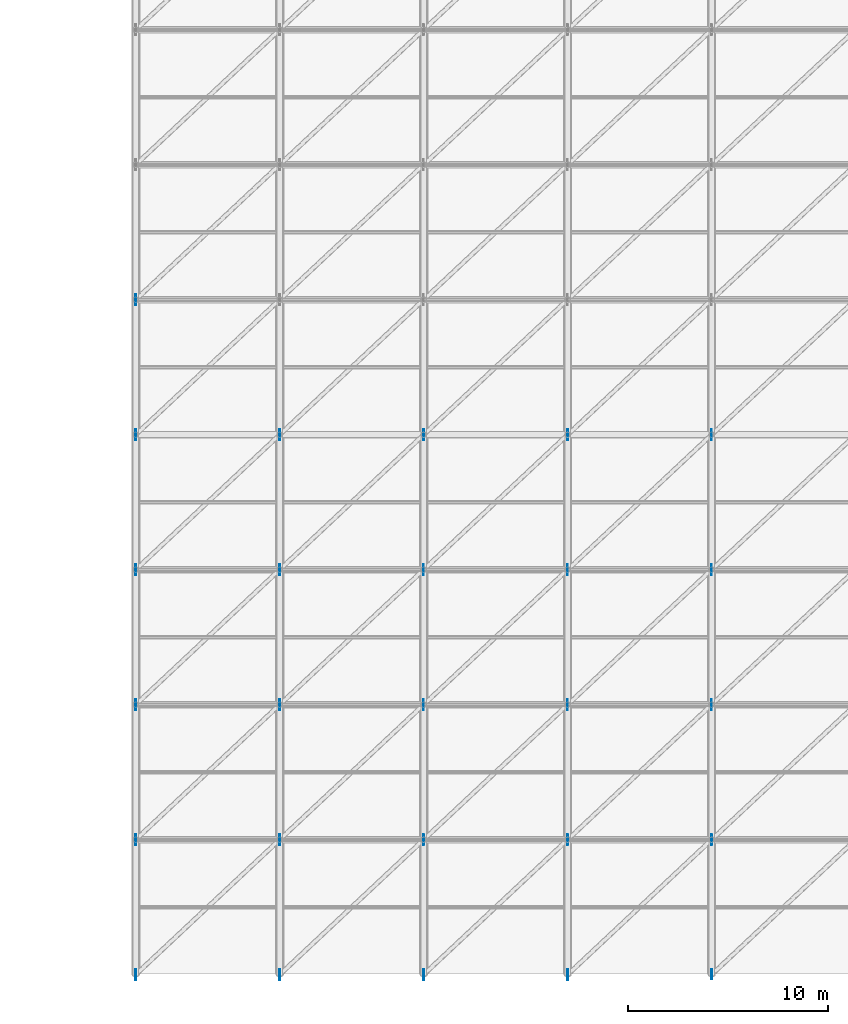
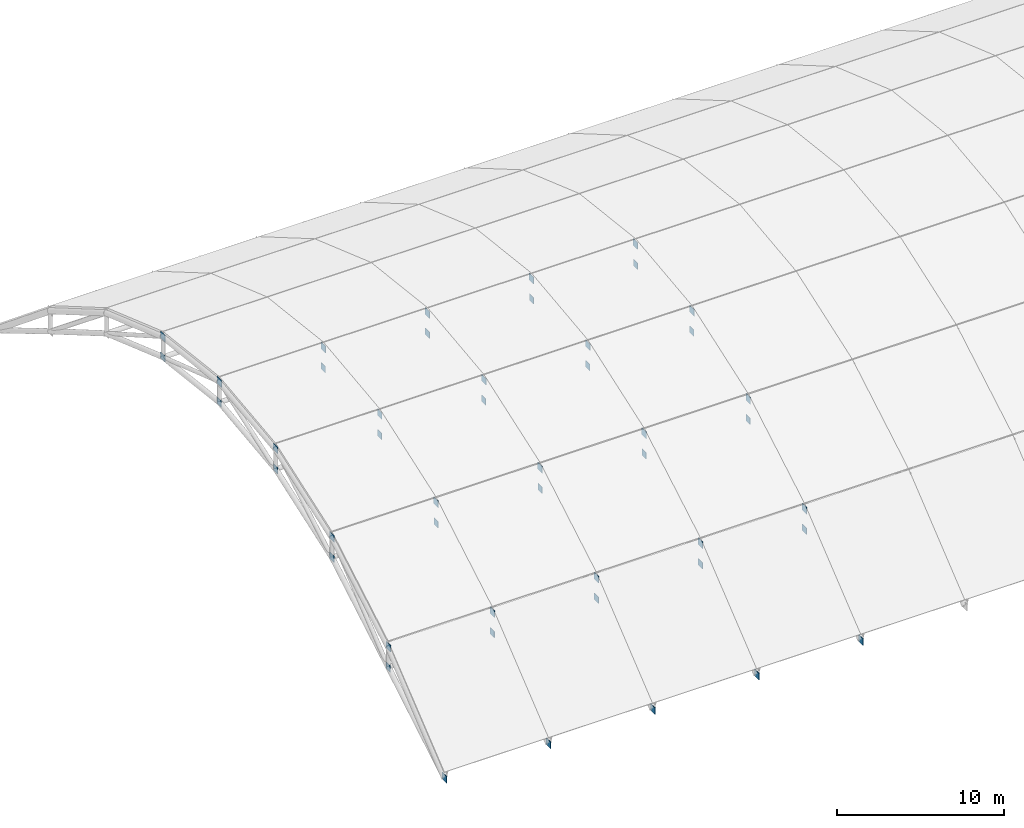
# One storey, part 59 of 72: 47 plates.
"""IFC4 building model written with IfcOpenShell, lengths in metres."""

from ifc_helpers import new_model, si_unit, direction, frame, origin, origin_2d, place, context, subcontext, project, spatial, rectangle, extrude, material, layer, layer_set, type_object, element, save


model = new_model("IFC4")

# Units and contexts
model_context = context("Model", 3, precision=1e-05, world=origin(), true_north=direction((0.0, 1.0)))
body_context = subcontext(model_context, "Body", "Model", "MODEL_VIEW")
ifc_project = project(units=[si_unit("LENGTHUNIT", "METRE"), si_unit("AREAUNIT", "SQUARE_METRE"), si_unit("VOLUMEUNIT", "CUBIC_METRE"), si_unit("PLANEANGLEUNIT", "RADIAN"), si_unit("MASSUNIT", "GRAM", prefix="KILO")], contexts=[model_context])

# Site, building, storey
site_placement = place(None, origin())
site = spatial("IfcSite", under=ifc_project, at=site_placement, CompositionType="ELEMENT")
building_placement = place(site_placement, origin())
building = spatial("IfcBuilding", under=site, at=building_placement, Name="Vaelcorin Mobility Hub", CompositionType="ELEMENT")
storey_placement = place(building_placement, frame((0.0, 0.0, 25.800048828125)))
storey = spatial("IfcBuildingStorey", under=building, at=storey_placement, Name="RF", CompositionType="ELEMENT", Elevation=25.800048828125)

# Plates
ifc_material = material(Name="Steel ASTM A572 Grade 50", Category="steel")
ifc_layer_1 = layer(ifc_material, 0.0400390625)
ifc_layer_set_1 = layer_set([ifc_layer_1], Name="Steel ASTM A572 Grade 50")
plate_type_1 = type_object("IfcPlateType", Name="PL-SN1", PredefinedType="USERDEFINED", material=ifc_layer_set_1)
for number, where, z_axis, x_axis, name in (
    (1, (36.0, 12.75, -16.01806640625), (0.0, 0.0, 1.0), (1.0, 0.0, 0.0), "Space-Frame Lower Node Gusset 1-1"),
    (2, (43.199951171875, 12.75, -16.01806640625), (0.0, 0.0, 1.0), (1.0, 0.0, 0.0), "Space-Frame Lower Node Gusset 2-1"),
    (3, (50.39990234375, 12.75, -16.01806640625), (0.0, 0.0, 1.0), (1.0, 0.0, 0.0), "Space-Frame Lower Node Gusset 3-1"),
    (4, (57.60009765625, 12.75, -16.01806640625), (0.0, 0.0, 1.0), (1.0, 0.0, 0.0), "Space-Frame Lower Node Gusset 4-1"),
    (5, (64.800048828125, 12.75, -16.01806640625), (0.0, 0.0, 1.0), (1.0, 0.0, 0.0), "Space-Frame Lower Node Gusset 5-1"),
):
    element("IfcPlate", number, at=place(storey_placement, frame(where, z_axis=z_axis, x_axis=x_axis)), inside=storey, type_object=plate_type_1, Name=name, ObjectType="GUSSET PLATE", PredefinedType="USERDEFINED", context=body_context, shape_type="SweptSolid", body=[
        extrude(rectangle(XDim=0.0400390625, YDim=0.5, at=origin_2d()), origin(), (0.0, 0.0, 1.0), 0.4599609375),
    ])
ifc_layer_2 = layer(ifc_material, 0.035888671875)
ifc_layer_set_2 = layer_set([ifc_layer_2], Name="Steel ASTM A572 Grade 50")
plate_type_2 = type_object("IfcPlateType", Name="PL-SN2", PredefinedType="USERDEFINED", material=ifc_layer_set_2)
for number, where, z_axis, x_axis, name in (
    (6, (36.0, 6.0, -20.050048828125), (0.0, 0.0, 1.0), (1.0, 0.0, 0.0), "Space-Frame Node Gusset SN2 1-0"),
    (7, (43.199951171875, 6.0, -20.050048828125), (0.0, 0.0, 1.0), (1.0, 0.0, 0.0), "Space-Frame Node Gusset SN2 2-0"),
    (8, (50.39990234375, 6.0, -20.050048828125), (0.0, 0.0, 1.0), (1.0, 0.0, 0.0), "Space-Frame Node Gusset SN2 3-0"),
    (9, (57.60009765625, 6.0, -20.050048828125), (0.0, 0.0, 1.0), (1.0, 0.0, 0.0), "Space-Frame Node Gusset SN2 4-0"),
    (10, (64.800048828125, 6.0, -20.050048828125), (0.0, 0.0, 1.0), (1.0, 0.0, 0.0), "Space-Frame Node Gusset SN2 5-0"),
):
    element("IfcPlate", number, at=place(storey_placement, frame(where, z_axis=z_axis, x_axis=x_axis)), inside=storey, type_object=plate_type_2, Name=name, ObjectType="GUSSET PLATE", PredefinedType="USERDEFINED", context=body_context, shape_type="SweptSolid", body=[
        extrude(rectangle(XDim=0.035888671875, YDim=0.5400390625, at=origin_2d()), origin(), (0.0, 0.0, 1.0), 0.5),
    ])
ifc_layer_3 = layer(ifc_material, 0.031982421875)
ifc_layer_set_3 = layer_set([ifc_layer_3], Name="Steel ASTM A572 Grade 50")
plate_type_3 = type_object("IfcPlateType", Name="PL-SN3", PredefinedType="USERDEFINED", material=ifc_layer_set_3)
for number, where, z_axis, x_axis, name in (
    (11, (36.0, 33.0, -7.449951171875), (0.0, 0.0, 1.0), (1.0, 0.0, 0.0), "Space-Frame Node Gusset SN3 1-4"),
    (12, (43.199951171875, 33.0, -7.449951171875), (0.0, 0.0, 1.0), (1.0, 0.0, 0.0), "Space-Frame Node Gusset SN3 2-4"),
    (13, (50.39990234375, 33.0, -7.449951171875), (0.0, 0.0, 1.0), (1.0, 0.0, 0.0), "Space-Frame Node Gusset SN3 3-4"),
    (14, (57.60009765625, 33.0, -7.449951171875), (0.0, 0.0, 1.0), (1.0, 0.0, 0.0), "Space-Frame Node Gusset SN3 4-4"),
    (15, (64.800048828125, 33.0, -7.449951171875), (0.0, 0.0, 1.0), (1.0, 0.0, 0.0), "Space-Frame Node Gusset SN3 5-4"),
):
    element("IfcPlate", number, at=place(storey_placement, frame(where, z_axis=z_axis, x_axis=x_axis)), inside=storey, type_object=plate_type_3, Name=name, ObjectType="GUSSET PLATE", PredefinedType="USERDEFINED", context=body_context, shape_type="SweptSolid", body=[
        extrude(rectangle(XDim=0.031982421875, YDim=0.5400390625, at=origin_2d()), origin(), (0.0, 0.0, 1.0), 0.5),
    ])
ifc_layer_4 = layer(ifc_material, 0.028076171875)
ifc_layer_set_4 = layer_set([ifc_layer_4], Name="Steel ASTM A572 Grade 50")
plate_type_4 = type_object("IfcPlateType", Name="PL-SN4", PredefinedType="USERDEFINED", material=ifc_layer_set_4)
for number, where, z_axis, x_axis, name in (
    (16, (36.0, 12.75, -14.5380859375), (0.0, 0.0, 1.0), (1.0, 0.0, 0.0), "Space-Frame Node Gusset SN4 1-1"),
    (17, (36.0, 19.5, -10.60009765625), (0.0, 0.0, 1.0), (1.0, 0.0, 0.0), "Space-Frame Node Gusset SN4 1-2"),
):
    element("IfcPlate", number, at=place(storey_placement, frame(where, z_axis=z_axis, x_axis=x_axis)), inside=storey, type_object=plate_type_4, Name=name, ObjectType="GUSSET PLATE", PredefinedType="USERDEFINED", context=body_context, shape_type="SweptSolid", body=[
        extrude(rectangle(XDim=0.028076171875, YDim=0.5400390625, at=origin_2d()), origin(), (0.0, 0.0, 1.0), 0.5),
    ])
plate_1_placement = place(storey_placement, frame((36.0, 19.5, -12.080078125), z_axis=(0.0, 0.0, 1.0), x_axis=(1.0, 0.0, 0.0)))
element("IfcPlate", 18, at=plate_1_placement, inside=storey, type_object=plate_type_4, Name="Space-Frame Lower Node Gusset 1-2", ObjectType="GUSSET PLATE", PredefinedType="USERDEFINED", context=body_context, shape_type="SweptSolid", body=[
    extrude(rectangle(XDim=0.028076171875, YDim=0.5, at=origin_2d()), origin(), (0.0, 0.0, 1.0), 0.4599609375),
])
plate_2_placement = place(storey_placement, frame((36.0, 26.25, -8.238037109375), z_axis=(0.0, 0.0, 1.0), x_axis=(1.0, 0.0, 0.0)))
element("IfcPlate", 19, at=plate_2_placement, inside=storey, type_object=plate_type_4, Name="Space-Frame Node Gusset SN4 1-3", ObjectType="GUSSET PLATE", PredefinedType="USERDEFINED", context=body_context, shape_type="SweptSolid", body=[
    extrude(rectangle(XDim=0.028076171875, YDim=0.5400390625, at=origin_2d()), origin(), (0.0, 0.0, 1.0), 0.5),
])
for number, where, z_axis, x_axis, name in (
    (20, (36.0, 26.25, -9.718017578125), (0.0, 0.0, 1.0), (1.0, 0.0, 0.0), "Space-Frame Lower Node Gusset 1-3"),
    (21, (36.0, 33.0, -8.929931640625), (0.0, 0.0, 1.0), (1.0, 0.0, 0.0), "Space-Frame Lower Node Gusset 1-4"),
):
    element("IfcPlate", number, at=place(storey_placement, frame(where, z_axis=z_axis, x_axis=x_axis)), inside=storey, type_object=plate_type_4, Name=name, ObjectType="GUSSET PLATE", PredefinedType="USERDEFINED", context=body_context, shape_type="SweptSolid", body=[
        extrude(rectangle(XDim=0.028076171875, YDim=0.5, at=origin_2d()), origin(), (0.0, 0.0, 1.0), 0.4599609375),
    ])
plate_3_placement = place(storey_placement, frame((36.0, 39.75, -8.238037109375), z_axis=(0.0, 0.0, 1.0), x_axis=(1.0, 0.0, 0.0)))
element("IfcPlate", 22, at=plate_3_placement, inside=storey, type_object=plate_type_4, Name="Space-Frame Node Gusset SN4 1-5", ObjectType="GUSSET PLATE", PredefinedType="USERDEFINED", context=body_context, shape_type="SweptSolid", body=[
    extrude(rectangle(XDim=0.028076171875, YDim=0.5400390625, at=origin_2d()), origin(), (0.0, 0.0, 1.0), 0.5),
])
plate_4_placement = place(storey_placement, frame((36.0, 39.75, -9.718017578125), z_axis=(0.0, 0.0, 1.0), x_axis=(1.0, 0.0, 0.0)))
element("IfcPlate", 23, at=plate_4_placement, inside=storey, type_object=plate_type_4, Name="Space-Frame Lower Node Gusset 1-5", ObjectType="GUSSET PLATE", PredefinedType="USERDEFINED", context=body_context, shape_type="SweptSolid", body=[
    extrude(rectangle(XDim=0.028076171875, YDim=0.5, at=origin_2d()), origin(), (0.0, 0.0, 1.0), 0.4599609375),
])
for number, where, z_axis, x_axis, name in (
    (24, (43.199951171875, 12.75, -14.5380859375), (0.0, 0.0, 1.0), (1.0, 0.0, 0.0), "Space-Frame Node Gusset SN4 2-1"),
    (25, (43.199951171875, 19.5, -10.60009765625), (0.0, 0.0, 1.0), (1.0, 0.0, 0.0), "Space-Frame Node Gusset SN4 2-2"),
):
    element("IfcPlate", number, at=place(storey_placement, frame(where, z_axis=z_axis, x_axis=x_axis)), inside=storey, type_object=plate_type_4, Name=name, ObjectType="GUSSET PLATE", PredefinedType="USERDEFINED", context=body_context, shape_type="SweptSolid", body=[
        extrude(rectangle(XDim=0.028076171875, YDim=0.5400390625, at=origin_2d()), origin(), (0.0, 0.0, 1.0), 0.5),
    ])
plate_5_placement = place(storey_placement, frame((43.199951171875, 19.5, -12.080078125), z_axis=(0.0, 0.0, 1.0), x_axis=(1.0, 0.0, 0.0)))
element("IfcPlate", 26, at=plate_5_placement, inside=storey, type_object=plate_type_4, Name="Space-Frame Lower Node Gusset 2-2", ObjectType="GUSSET PLATE", PredefinedType="USERDEFINED", context=body_context, shape_type="SweptSolid", body=[
    extrude(rectangle(XDim=0.028076171875, YDim=0.5, at=origin_2d()), origin(), (0.0, 0.0, 1.0), 0.4599609375),
])
plate_6_placement = place(storey_placement, frame((43.199951171875, 26.25, -8.238037109375), z_axis=(0.0, 0.0, 1.0), x_axis=(1.0, 0.0, 0.0)))
element("IfcPlate", 27, at=plate_6_placement, inside=storey, type_object=plate_type_4, Name="Space-Frame Node Gusset SN4 2-3", ObjectType="GUSSET PLATE", PredefinedType="USERDEFINED", context=body_context, shape_type="SweptSolid", body=[
    extrude(rectangle(XDim=0.028076171875, YDim=0.5400390625, at=origin_2d()), origin(), (0.0, 0.0, 1.0), 0.5),
])
for number, where, z_axis, x_axis, name in (
    (28, (43.199951171875, 26.25, -9.718017578125), (0.0, 0.0, 1.0), (1.0, 0.0, 0.0), "Space-Frame Lower Node Gusset 2-3"),
    (29, (43.199951171875, 33.0, -8.929931640625), (0.0, 0.0, 1.0), (1.0, 0.0, 0.0), "Space-Frame Lower Node Gusset 2-4"),
):
    element("IfcPlate", number, at=place(storey_placement, frame(where, z_axis=z_axis, x_axis=x_axis)), inside=storey, type_object=plate_type_4, Name=name, ObjectType="GUSSET PLATE", PredefinedType="USERDEFINED", context=body_context, shape_type="SweptSolid", body=[
        extrude(rectangle(XDim=0.028076171875, YDim=0.5, at=origin_2d()), origin(), (0.0, 0.0, 1.0), 0.4599609375),
    ])
for number, where, z_axis, x_axis, name in (
    (30, (50.39990234375, 12.75, -14.5380859375), (0.0, 0.0, 1.0), (1.0, 0.0, 0.0), "Space-Frame Node Gusset SN4 3-1"),
    (31, (50.39990234375, 19.5, -10.60009765625), (0.0, 0.0, 1.0), (1.0, 0.0, 0.0), "Space-Frame Node Gusset SN4 3-2"),
):
    element("IfcPlate", number, at=place(storey_placement, frame(where, z_axis=z_axis, x_axis=x_axis)), inside=storey, type_object=plate_type_4, Name=name, ObjectType="GUSSET PLATE", PredefinedType="USERDEFINED", context=body_context, shape_type="SweptSolid", body=[
        extrude(rectangle(XDim=0.028076171875, YDim=0.5400390625, at=origin_2d()), origin(), (0.0, 0.0, 1.0), 0.5),
    ])
plate_7_placement = place(storey_placement, frame((50.39990234375, 19.5, -12.080078125), z_axis=(0.0, 0.0, 1.0), x_axis=(1.0, 0.0, 0.0)))
element("IfcPlate", 32, at=plate_7_placement, inside=storey, type_object=plate_type_4, Name="Space-Frame Lower Node Gusset 3-2", ObjectType="GUSSET PLATE", PredefinedType="USERDEFINED", context=body_context, shape_type="SweptSolid", body=[
    extrude(rectangle(XDim=0.028076171875, YDim=0.5, at=origin_2d()), origin(), (0.0, 0.0, 1.0), 0.4599609375),
])
plate_8_placement = place(storey_placement, frame((50.39990234375, 26.25, -8.238037109375), z_axis=(0.0, 0.0, 1.0), x_axis=(1.0, 0.0, 0.0)))
element("IfcPlate", 33, at=plate_8_placement, inside=storey, type_object=plate_type_4, Name="Space-Frame Node Gusset SN4 3-3", ObjectType="GUSSET PLATE", PredefinedType="USERDEFINED", context=body_context, shape_type="SweptSolid", body=[
    extrude(rectangle(XDim=0.028076171875, YDim=0.5400390625, at=origin_2d()), origin(), (0.0, 0.0, 1.0), 0.5),
])
for number, where, z_axis, x_axis, name in (
    (34, (50.39990234375, 26.25, -9.718017578125), (0.0, 0.0, 1.0), (1.0, 0.0, 0.0), "Space-Frame Lower Node Gusset 3-3"),
    (35, (50.39990234375, 33.0, -8.929931640625), (0.0, 0.0, 1.0), (1.0, 0.0, 0.0), "Space-Frame Lower Node Gusset 3-4"),
):
    element("IfcPlate", number, at=place(storey_placement, frame(where, z_axis=z_axis, x_axis=x_axis)), inside=storey, type_object=plate_type_4, Name=name, ObjectType="GUSSET PLATE", PredefinedType="USERDEFINED", context=body_context, shape_type="SweptSolid", body=[
        extrude(rectangle(XDim=0.028076171875, YDim=0.5, at=origin_2d()), origin(), (0.0, 0.0, 1.0), 0.4599609375),
    ])
for number, where, z_axis, x_axis, name in (
    (36, (57.60009765625, 12.75, -14.5380859375), (0.0, 0.0, 1.0), (1.0, 0.0, 0.0), "Space-Frame Node Gusset SN4 4-1"),
    (37, (57.60009765625, 19.5, -10.60009765625), (0.0, 0.0, 1.0), (1.0, 0.0, 0.0), "Space-Frame Node Gusset SN4 4-2"),
):
    element("IfcPlate", number, at=place(storey_placement, frame(where, z_axis=z_axis, x_axis=x_axis)), inside=storey, type_object=plate_type_4, Name=name, ObjectType="GUSSET PLATE", PredefinedType="USERDEFINED", context=body_context, shape_type="SweptSolid", body=[
        extrude(rectangle(XDim=0.028076171875, YDim=0.5400390625, at=origin_2d()), origin(), (0.0, 0.0, 1.0), 0.5),
    ])
plate_9_placement = place(storey_placement, frame((57.60009765625, 19.5, -12.080078125), z_axis=(0.0, 0.0, 1.0), x_axis=(1.0, 0.0, 0.0)))
element("IfcPlate", 38, at=plate_9_placement, inside=storey, type_object=plate_type_4, Name="Space-Frame Lower Node Gusset 4-2", ObjectType="GUSSET PLATE", PredefinedType="USERDEFINED", context=body_context, shape_type="SweptSolid", body=[
    extrude(rectangle(XDim=0.028076171875, YDim=0.5, at=origin_2d()), origin(), (0.0, 0.0, 1.0), 0.4599609375),
])
plate_10_placement = place(storey_placement, frame((57.60009765625, 26.25, -8.238037109375), z_axis=(0.0, 0.0, 1.0), x_axis=(1.0, 0.0, 0.0)))
element("IfcPlate", 39, at=plate_10_placement, inside=storey, type_object=plate_type_4, Name="Space-Frame Node Gusset SN4 4-3", ObjectType="GUSSET PLATE", PredefinedType="USERDEFINED", context=body_context, shape_type="SweptSolid", body=[
    extrude(rectangle(XDim=0.028076171875, YDim=0.5400390625, at=origin_2d()), origin(), (0.0, 0.0, 1.0), 0.5),
])
for number, where, z_axis, x_axis, name in (
    (40, (57.60009765625, 26.25, -9.718017578125), (0.0, 0.0, 1.0), (1.0, 0.0, 0.0), "Space-Frame Lower Node Gusset 4-3"),
    (41, (57.60009765625, 33.0, -8.929931640625), (0.0, 0.0, 1.0), (1.0, 0.0, 0.0), "Space-Frame Lower Node Gusset 4-4"),
):
    element("IfcPlate", number, at=place(storey_placement, frame(where, z_axis=z_axis, x_axis=x_axis)), inside=storey, type_object=plate_type_4, Name=name, ObjectType="GUSSET PLATE", PredefinedType="USERDEFINED", context=body_context, shape_type="SweptSolid", body=[
        extrude(rectangle(XDim=0.028076171875, YDim=0.5, at=origin_2d()), origin(), (0.0, 0.0, 1.0), 0.4599609375),
    ])
for number, where, z_axis, x_axis, name in (
    (42, (64.800048828125, 12.75, -14.5380859375), (0.0, 0.0, 1.0), (1.0, 0.0, 0.0), "Space-Frame Node Gusset SN4 5-1"),
    (43, (64.800048828125, 19.5, -10.60009765625), (0.0, 0.0, 1.0), (1.0, 0.0, 0.0), "Space-Frame Node Gusset SN4 5-2"),
):
    element("IfcPlate", number, at=place(storey_placement, frame(where, z_axis=z_axis, x_axis=x_axis)), inside=storey, type_object=plate_type_4, Name=name, ObjectType="GUSSET PLATE", PredefinedType="USERDEFINED", context=body_context, shape_type="SweptSolid", body=[
        extrude(rectangle(XDim=0.028076171875, YDim=0.5400390625, at=origin_2d()), origin(), (0.0, 0.0, 1.0), 0.5),
    ])
plate_11_placement = place(storey_placement, frame((64.800048828125, 19.5, -12.080078125), z_axis=(0.0, 0.0, 1.0), x_axis=(1.0, 0.0, 0.0)))
element("IfcPlate", 44, at=plate_11_placement, inside=storey, type_object=plate_type_4, Name="Space-Frame Lower Node Gusset 5-2", ObjectType="GUSSET PLATE", PredefinedType="USERDEFINED", context=body_context, shape_type="SweptSolid", body=[
    extrude(rectangle(XDim=0.028076171875, YDim=0.5, at=origin_2d()), origin(), (0.0, 0.0, 1.0), 0.4599609375),
])
plate_12_placement = place(storey_placement, frame((64.800048828125, 26.25, -8.238037109375), z_axis=(0.0, 0.0, 1.0), x_axis=(1.0, 0.0, 0.0)))
element("IfcPlate", 45, at=plate_12_placement, inside=storey, type_object=plate_type_4, Name="Space-Frame Node Gusset SN4 5-3", ObjectType="GUSSET PLATE", PredefinedType="USERDEFINED", context=body_context, shape_type="SweptSolid", body=[
    extrude(rectangle(XDim=0.028076171875, YDim=0.5400390625, at=origin_2d()), origin(), (0.0, 0.0, 1.0), 0.5),
])
for number, where, z_axis, x_axis, name in (
    (46, (64.800048828125, 26.25, -9.718017578125), (0.0, 0.0, 1.0), (1.0, 0.0, 0.0), "Space-Frame Lower Node Gusset 5-3"),
    (47, (64.800048828125, 33.0, -8.929931640625), (0.0, 0.0, 1.0), (1.0, 0.0, 0.0), "Space-Frame Lower Node Gusset 5-4"),
):
    element("IfcPlate", number, at=place(storey_placement, frame(where, z_axis=z_axis, x_axis=x_axis)), inside=storey, type_object=plate_type_4, Name=name, ObjectType="GUSSET PLATE", PredefinedType="USERDEFINED", context=body_context, shape_type="SweptSolid", body=[
        extrude(rectangle(XDim=0.028076171875, YDim=0.5, at=origin_2d()), origin(), (0.0, 0.0, 1.0), 0.4599609375),
    ])

save(model, "model.ifc")
